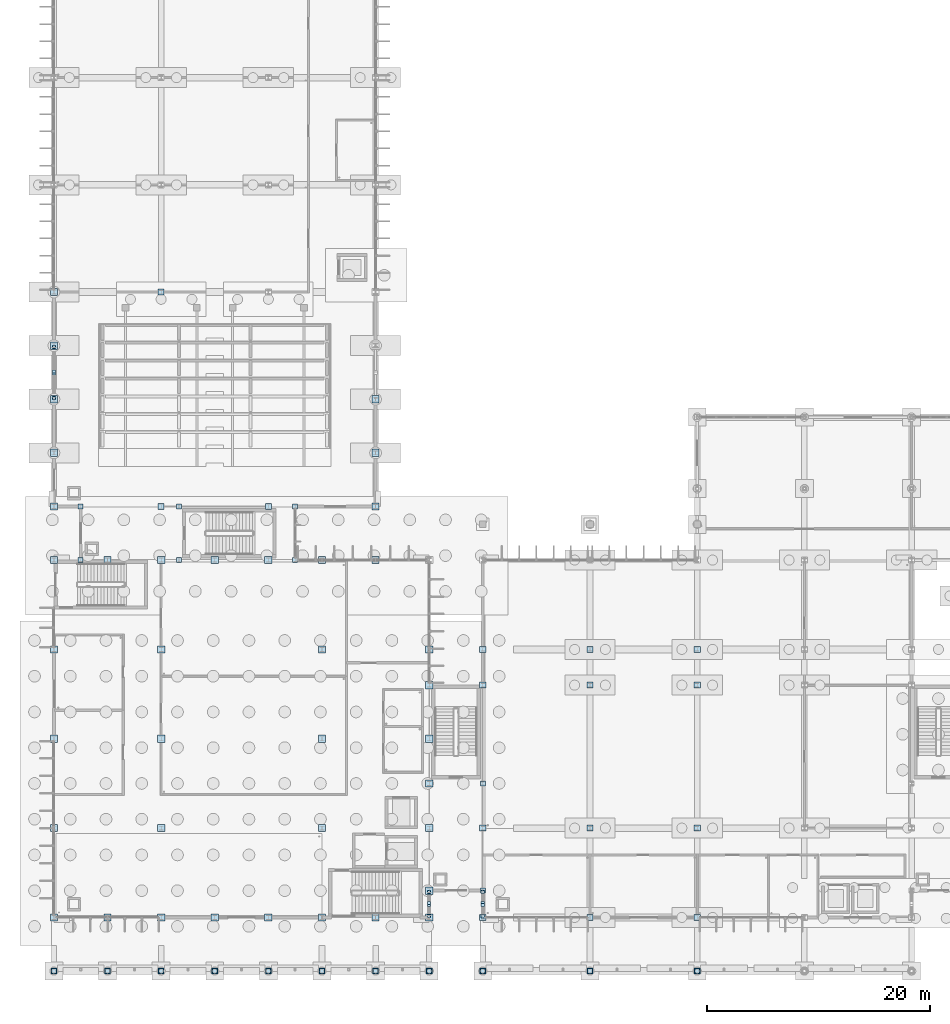
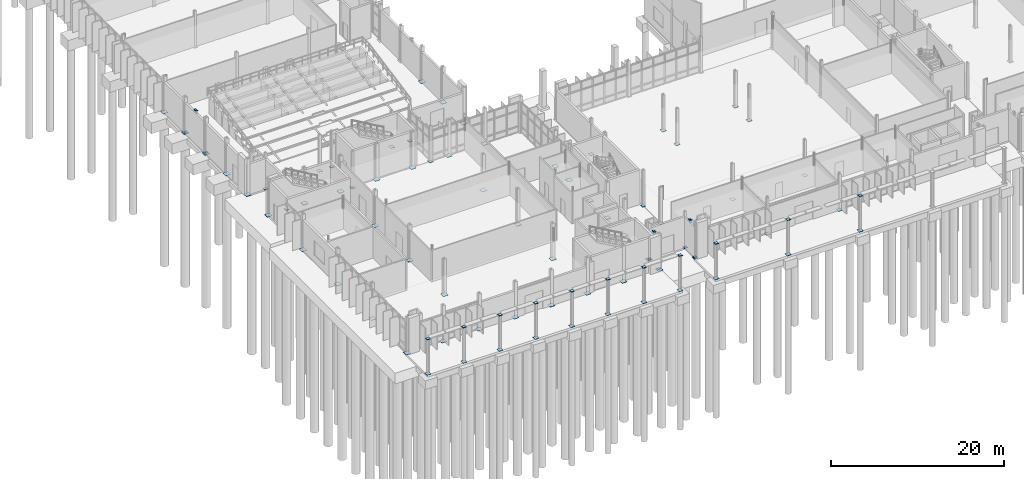
# One storey, part 52 of 111: 95 plates.
"""IFC4 building model written with IfcOpenShell, lengths in metres."""

from ifc_helpers import new_model, si_unit, direction, frame, origin, origin_2d, place, context, subcontext, project, spatial, rectangle, extrude, material, layer, layer_set, type_object, element, save


model = new_model("IFC4")

# Units and contexts
model_context = context("Model", 3, precision=1e-05, world=origin(), true_north=direction((0.0, 1.0)))
body_context = subcontext(model_context, "Body", "Model", "MODEL_VIEW")
ifc_project = project(units=[si_unit("LENGTHUNIT", "METRE"), si_unit("AREAUNIT", "SQUARE_METRE"), si_unit("VOLUMEUNIT", "CUBIC_METRE"), si_unit("PLANEANGLEUNIT", "RADIAN"), si_unit("MASSUNIT", "GRAM", prefix="KILO")], contexts=[model_context])

# Site, building, storey
site_placement = place(None, origin())
site = spatial("IfcSite", under=ifc_project, at=site_placement, CompositionType="ELEMENT")
building_placement = place(site_placement, origin())
building = spatial("IfcBuilding", under=site, at=building_placement, Name="Dunescarp Central Library", CompositionType="ELEMENT")
storey_placement = place(building_placement, origin())
storey = spatial("IfcBuildingStorey", under=building, at=storey_placement, Name="L00", CompositionType="ELEMENT", Elevation=0.0)

# Plates
ifc_material = material(Name="Steel S355J0", Category="steel")
ifc_layer_1 = layer(ifc_material, 0.0380859375)
ifc_layer_set_1 = layer_set([ifc_layer_1], Name="Steel S355J0")
plate_type_1 = type_object("IfcPlateType", Name="STR-PLT-BP01", PredefinedType="USERDEFINED", material=ifc_layer_set_1)
for number, where, z_axis, x_axis, name in (
    (1, (0.0, 4.800048828125, -0.033935546875), (0.0, 0.0, 1.0), (1.0, 0.0, 0.0), "Column base plate BPL-001"),
    (2, (0.0, 36.800048828125, -0.033935546875), (0.0, 0.0, 1.0), (1.0, 0.0, 0.0), "Column base plate BPL-002"),
    (3, (4.800048828125, 4.800048828125, -0.033935546875), (0.0, 0.0, 1.0), (1.0, 0.0, 0.0), "Column base plate BPL-003"),
    (4, (4.800048828125, 36.800048828125, -0.033935546875), (0.0, 0.0, 1.0), (1.0, 0.0, 0.0), "Column base plate BPL-004"),
    (5, (9.60009765625, 4.800048828125, -0.033935546875), (0.0, 0.0, 1.0), (1.0, 0.0, 0.0), "Column base plate BPL-005"),
    (6, (9.60009765625, 36.800048828125, -0.033935546875), (0.0, 0.0, 1.0), (1.0, 0.0, 0.0), "Column base plate BPL-006"),
    (7, (14.39990234375, 4.800048828125, -0.033935546875), (0.0, 0.0, 1.0), (1.0, 0.0, 0.0), "Column base plate BPL-007"),
    (8, (14.39990234375, 36.800048828125, -0.033935546875), (0.0, 0.0, 1.0), (1.0, 0.0, 0.0), "Column base plate BPL-008"),
    (9, (19.199951171875, 4.800048828125, -0.033935546875), (0.0, 0.0, 1.0), (1.0, 0.0, 0.0), "Column base plate BPL-009"),
    (10, (19.199951171875, 36.800048828125, -0.033935546875), (0.0, 0.0, 1.0), (1.0, 0.0, 0.0), "Column base plate BPL-010"),
    (11, (24.0, 4.800048828125, -0.033935546875), (0.0, 0.0, 1.0), (1.0, 0.0, 0.0), "Column base plate BPL-011"),
    (12, (24.0, 36.800048828125, -0.033935546875), (0.0, 0.0, 1.0), (1.0, 0.0, 0.0), "Column base plate BPL-012"),
    (13, (28.800048828125, 4.800048828125, -0.033935546875), (0.0, 0.0, 1.0), (1.0, 0.0, 0.0), "Column base plate BPL-013"),
    (14, (28.800048828125, 36.800048828125, -0.033935546875), (0.0, 0.0, 1.0), (1.0, 0.0, 0.0), "Column base plate BPL-014"),
    (15, (33.60009765625, 4.800048828125, -0.033935546875), (0.0, 0.0, 1.0), (1.0, 0.0, 0.0), "Column base plate BPL-015"),
    (16, (0.0, 12.800048828125, -0.033935546875), (0.0, 0.0, 1.0), (1.0, 0.0, 0.0), "Column base plate BPL-017"),
    (17, (0.0, 20.800048828125, -0.033935546875), (0.0, 0.0, 1.0), (1.0, 0.0, 0.0), "Column base plate BPL-018"),
    (18, (0.0, 28.800048828125, -0.033935546875), (0.0, 0.0, 1.0), (1.0, 0.0, 0.0), "Column base plate BPL-019"),
    (19, (33.60009765625, 7.199951171875, -0.033935546875), (0.0, 0.0, 1.0), (1.0, 0.0, 0.0), "Column base plate BPL-020"),
    (20, (33.60009765625, 12.800048828125, -0.033935546875), (0.0, 0.0, 1.0), (1.0, 0.0, 0.0), "Column base plate BPL-021"),
    (21, (33.60009765625, 16.800048828125, -0.033935546875), (0.0, 0.0, 1.0), (1.0, 0.0, 0.0), "Column base plate BPL-022"),
    (22, (33.60009765625, 20.800048828125, -0.033935546875), (0.0, 0.0, 1.0), (1.0, 0.0, 0.0), "Column base plate BPL-023"),
    (23, (33.60009765625, 25.60009765625, -0.033935546875), (0.0, 0.0, 1.0), (1.0, 0.0, 0.0), "Column base plate BPL-024"),
    (24, (33.60009765625, 28.800048828125, -0.033935546875), (0.0, 0.0, 1.0), (1.0, 0.0, 0.0), "Column base plate BPL-025"),
    (25, (9.60009765625, 12.800048828125, -0.033935546875), (0.0, 0.0, 1.0), (1.0, 0.0, 0.0), "Column base plate BPL-026"),
    (26, (9.60009765625, 20.800048828125, -0.033935546875), (0.0, 0.0, 1.0), (1.0, 0.0, 0.0), "Column base plate BPL-027"),
    (27, (9.60009765625, 28.800048828125, -0.033935546875), (0.0, 0.0, 1.0), (1.0, 0.0, 0.0), "Column base plate BPL-028"),
    (28, (24.0, 12.800048828125, -0.033935546875), (0.0, 0.0, 1.0), (1.0, 0.0, 0.0), "Column base plate BPL-029"),
    (29, (24.0, 20.800048828125, -0.033935546875), (0.0, 0.0, 1.0), (1.0, 0.0, 0.0), "Column base plate BPL-030"),
    (30, (24.0, 28.800048828125, -0.033935546875), (0.0, 0.0, 1.0), (1.0, 0.0, 0.0), "Column base plate BPL-031"),
    (31, (0.0, 41.60009765625, -0.033935546875), (0.0, 0.0, 1.0), (1.0, 0.0, 0.0), "Column base plate BPL-105"),
    (32, (0.0, 46.39990234375, -0.033935546875), (0.0, 0.0, 1.0), (1.0, 0.0, 0.0), "Column base plate BPL-106"),
    (33, (0.0, 51.199951171875, -0.033935546875), (0.0, 0.0, 1.0), (1.0, 0.0, 0.0), "Column base plate BPL-107"),
    (34, (0.0, 56.0, -0.033935546875), (0.0, 0.0, 1.0), (1.0, 0.0, 0.0), "Column base plate BPL-108"),
    (35, (0.0, 60.800048828125, -0.033935546875), (0.0, 0.0, 1.0), (1.0, 0.0, 0.0), "Column base plate BPL-109"),
    (36, (28.800048828125, 41.60009765625, -0.033935546875), (0.0, 0.0, 1.0), (1.0, 0.0, 0.0), "Column base plate BPL-110"),
    (37, (28.800048828125, 46.39990234375, -0.033935546875), (0.0, 0.0, 1.0), (1.0, 0.0, 0.0), "Column base plate BPL-111"),
    (38, (28.800048828125, 51.199951171875, -0.033935546875), (0.0, 0.0, 1.0), (1.0, 0.0, 0.0), "Column base plate BPL-112"),
):
    element("IfcPlate", number, at=place(storey_placement, frame(where, z_axis=z_axis, x_axis=x_axis)), inside=storey, type_object=plate_type_1, Name=name, ObjectType="BASE_PLATE", PredefinedType="USERDEFINED", context=body_context, shape_type="SweptSolid", body=[
        extrude(rectangle(XDim=0.64990234375, YDim=0.64990234375, at=origin_2d()), origin(), (0.0, 0.0, 1.0), 0.0380859375),
    ])
ifc_layer_2 = layer(ifc_material, 0.031982421875)
ifc_layer_set_2 = layer_set([ifc_layer_2], Name="Steel S355J0")
plate_type_2 = type_object("IfcPlateType", Name="STR-PLT-BP02", PredefinedType="USERDEFINED", material=ifc_layer_set_2)
for number, where, z_axis, x_axis, name in (
    (39, (38.39990234375, 4.800048828125, -0.03076171875), (0.0, 0.0, 1.0), (1.0, 0.0, 0.0), "Column base plate BPL-032"),
    (40, (38.39990234375, 12.800048828125, -0.03076171875), (0.0, 0.0, 1.0), (1.0, 0.0, 0.0), "Column base plate BPL-033"),
    (41, (38.39990234375, 25.60009765625, -0.03076171875), (0.0, 0.0, 1.0), (1.0, 0.0, 0.0), "Column base plate BPL-034"),
    (42, (48.0, 4.800048828125, -0.03076171875), (0.0, 0.0, 1.0), (1.0, 0.0, 0.0), "Column base plate BPL-036"),
    (43, (48.0, 12.800048828125, -0.03076171875), (0.0, 0.0, 1.0), (1.0, 0.0, 0.0), "Column base plate BPL-037"),
    (44, (48.0, 25.60009765625, -0.03076171875), (0.0, 0.0, 1.0), (1.0, 0.0, 0.0), "Column base plate BPL-038"),
    (45, (57.60009765625, 4.800048828125, -0.03076171875), (0.0, 0.0, 1.0), (1.0, 0.0, 0.0), "Column base plate BPL-040"),
    (46, (57.60009765625, 12.800048828125, -0.03076171875), (0.0, 0.0, 1.0), (1.0, 0.0, 0.0), "Column base plate BPL-041"),
    (47, (57.60009765625, 25.60009765625, -0.03076171875), (0.0, 0.0, 1.0), (1.0, 0.0, 0.0), "Column base plate BPL-042"),
    (48, (38.39990234375, 28.800048828125, -0.03076171875), (0.0, 0.0, 1.0), (1.0, 0.0, 0.0), "Column base plate BPL-052"),
    (49, (48.0, 28.800048828125, -0.03076171875), (0.0, 0.0, 1.0), (1.0, 0.0, 0.0), "Column base plate BPL-053"),
    (50, (57.60009765625, 28.800048828125, -0.03076171875), (0.0, 0.0, 1.0), (1.0, 0.0, 0.0), "Column base plate BPL-054"),
    (51, (9.60009765625, 41.60009765625, -0.03076171875), (0.0, 0.0, 1.0), (1.0, 0.0, 0.0), "Column base plate BPL-115"),
    (52, (9.60009765625, 60.800048828125, -0.03076171875), (0.0, 0.0, 1.0), (1.0, 0.0, 0.0), "Column base plate BPL-116"),
    (53, (19.199951171875, 41.60009765625, -0.03076171875), (0.0, 0.0, 1.0), (1.0, 0.0, 0.0), "Column base plate BPL-117"),
    (54, (0.0, 0.0, -0.03076171875), (0.0, 0.0, 1.0), (1.0, 0.0, 0.0), "Column base plate BPL-168"),
    (55, (4.800048828125, 0.0, -0.03076171875), (0.0, 0.0, 1.0), (1.0, 0.0, 0.0), "Column base plate BPL-169"),
    (56, (9.60009765625, 0.0, -0.03076171875), (0.0, 0.0, 1.0), (1.0, 0.0, 0.0), "Column base plate BPL-170"),
    (57, (14.39990234375, 0.0, -0.03076171875), (0.0, 0.0, 1.0), (1.0, 0.0, 0.0), "Column base plate BPL-171"),
    (58, (19.199951171875, 0.0, -0.03076171875), (0.0, 0.0, 1.0), (1.0, 0.0, 0.0), "Column base plate BPL-172"),
    (59, (24.0, 0.0, -0.03076171875), (0.0, 0.0, 1.0), (1.0, 0.0, 0.0), "Column base plate BPL-173"),
    (60, (28.800048828125, 0.0, -0.03076171875), (0.0, 0.0, 1.0), (1.0, 0.0, 0.0), "Column base plate BPL-174"),
    (61, (33.60009765625, 0.0, -0.03076171875), (0.0, 0.0, 1.0), (1.0, 0.0, 0.0), "Column base plate BPL-175"),
    (62, (38.39990234375, 0.0, -0.03076171875), (0.0, 0.0, 1.0), (1.0, 0.0, 0.0), "Column base plate BPL-176"),
    (63, (48.0, 0.0, -0.03076171875), (0.0, 0.0, 1.0), (1.0, 0.0, 0.0), "Column base plate BPL-177"),
    (64, (57.60009765625, 0.0, -0.03076171875), (0.0, 0.0, 1.0), (1.0, 0.0, 0.0), "Column base plate BPL-178"),
):
    element("IfcPlate", number, at=place(storey_placement, frame(where, z_axis=z_axis, x_axis=x_axis)), inside=storey, type_object=plate_type_2, Name=name, ObjectType="BASE_PLATE", PredefinedType="USERDEFINED", context=body_context, shape_type="SweptSolid", body=[
        extrude(rectangle(XDim=0.550048828125, YDim=0.550048828125, at=origin_2d()), origin(), (0.0, 0.0, 1.0), 0.031982421875),
    ])
ifc_layer_3 = layer(ifc_material, 0.028076171875)
ifc_layer_set_3 = layer_set([ifc_layer_3], Name="Steel S355J0")
plate_type_3 = type_object("IfcPlateType", Name="STR-PLT-BP03", PredefinedType="USERDEFINED", material=ifc_layer_set_3)
for number, where, z_axis, x_axis, name in (
    (65, (38.39990234375, 7.199951171875, -0.02880859375), (0.0, 0.0, 1.0), (1.0, 0.0, 0.0), "Column base plate BPL-057"),
    (66, (38.39990234375, 16.800048828125, -0.02880859375), (0.0, 0.0, 1.0), (1.0, 0.0, 0.0), "Column base plate BPL-058"),
    (67, (2.39990234375, 36.800048828125, -0.02880859375), (0.0, 0.0, 1.0), (1.0, 0.0, 0.0), "Column base plate BPL-131"),
    (68, (2.39990234375, 41.60009765625, -0.02880859375), (0.0, 0.0, 1.0), (1.0, 0.0, 0.0), "Column base plate BPL-132"),
    (69, (11.199951171875, 36.800048828125, -0.02880859375), (0.0, 0.0, 1.0), (1.0, 0.0, 0.0), "Column base plate BPL-133"),
    (70, (11.199951171875, 41.60009765625, -0.02880859375), (0.0, 0.0, 1.0), (1.0, 0.0, 0.0), "Column base plate BPL-134"),
    (71, (21.60009765625, 36.800048828125, -0.02880859375), (0.0, 0.0, 1.0), (1.0, 0.0, 0.0), "Column base plate BPL-135"),
    (72, (21.60009765625, 41.60009765625, -0.02880859375), (0.0, 0.0, 1.0), (1.0, 0.0, 0.0), "Column base plate BPL-136"),
):
    element("IfcPlate", number, at=place(storey_placement, frame(where, z_axis=z_axis, x_axis=x_axis)), inside=storey, type_object=plate_type_3, Name=name, ObjectType="BASE_PLATE", PredefinedType="USERDEFINED", context=body_context, shape_type="SweptSolid", body=[
        extrude(rectangle(XDim=0.449951171875, YDim=0.449951171875, at=origin_2d()), origin(), (0.0, 0.0, 1.0), 0.028076171875),
    ])
ifc_layer_4 = layer(ifc_material, 0.035888671875)
ifc_layer_set_4 = layer_set([ifc_layer_4], Name="Steel S355J0")
plate_type_4 = type_object("IfcPlateType", Name="STR-PLT-ECP1", PredefinedType="USERDEFINED", material=ifc_layer_set_4)
for number, where, z_axis, x_axis, name in (
    (73, (0.0, 0.0, 4.904296875), (0.0, 0.0, 1.0), (1.0, 0.0, 0.0), "Column top cap plate ECP-C001"),
    (74, (4.800048828125, 0.0, 4.904296875), (0.0, 0.0, 1.0), (1.0, 0.0, 0.0), "Column top cap plate ECP-C002"),
    (75, (9.60009765625, 0.0, 4.904296875), (0.0, 0.0, 1.0), (1.0, 0.0, 0.0), "Column top cap plate ECP-C003"),
    (76, (14.39990234375, 0.0, 4.904296875), (0.0, 0.0, 1.0), (1.0, 0.0, 0.0), "Column top cap plate ECP-C004"),
    (77, (19.199951171875, 0.0, 4.904296875), (0.0, 0.0, 1.0), (1.0, 0.0, 0.0), "Column top cap plate ECP-C005"),
    (78, (24.0, 0.0, 4.904296875), (0.0, 0.0, 1.0), (1.0, 0.0, 0.0), "Column top cap plate ECP-C006"),
    (79, (28.800048828125, 0.0, 4.904296875), (0.0, 0.0, 1.0), (1.0, 0.0, 0.0), "Column top cap plate ECP-C007"),
    (80, (33.60009765625, 0.0, 4.904296875), (0.0, 0.0, 1.0), (1.0, 0.0, 0.0), "Column top cap plate ECP-C008"),
    (81, (38.39990234375, 0.0, 4.904296875), (0.0, 0.0, 1.0), (1.0, 0.0, 0.0), "Column top cap plate ECP-C009"),
    (82, (48.0, 0.0, 4.904296875), (0.0, 0.0, 1.0), (1.0, 0.0, 0.0), "Column top cap plate ECP-C010"),
    (83, (57.60009765625, 0.0, 4.904296875), (0.0, 0.0, 1.0), (1.0, 0.0, 0.0), "Column top cap plate ECP-C011"),
):
    element("IfcPlate", number, at=place(storey_placement, frame(where, z_axis=z_axis, x_axis=x_axis)), inside=storey, type_object=plate_type_4, Name=name, ObjectType="GUSSET_PLATE", PredefinedType="USERDEFINED", context=body_context, shape_type="SweptSolid", body=[
        extrude(rectangle(XDim=0.416015625, YDim=0.416015625, at=origin_2d()), origin(), (0.0, 0.0, 1.0), 0.035888671875),
    ])
ifc_layer_5 = layer(ifc_material, 0.02001953125)
ifc_layer_set_5 = layer_set([ifc_layer_5], Name="Steel S355J0")
plate_type_5 = type_object("IfcPlateType", Name="STR-PLT-GUS1", PredefinedType="USERDEFINED", material=ifc_layer_set_5)
for number, where, z_axis, x_axis, name in (
    (84, (33.60009765625, 4.919921875, 0.02685546875), (0.0, 0.0, 1.0), (1.0, 0.0, 0.0), "Brace foot gusset plate GP-001"),
    (85, (33.60009765625, 7.080078125, 0.02685546875), (0.0, 0.0, 1.0), (1.0, 0.0, 0.0), "Brace foot gusset plate GP-003"),
):
    element("IfcPlate", number, at=place(storey_placement, frame(where, z_axis=z_axis, x_axis=x_axis)), inside=storey, type_object=plate_type_5, Name=name, ObjectType="GUSSET_PLATE", PredefinedType="USERDEFINED", context=body_context, shape_type="SweptSolid", body=[
        extrude(rectangle(XDim=0.279052734375, YDim=0.279052734375, at=origin_2d()), origin(), (0.0, 0.0, 1.0), 0.035888671875),
    ])
for number, where, z_axis, x_axis, name in (
    (86, (38.39990234375, 4.919921875, 0.02685546875), (0.0, 0.0, 1.0), (1.0, 0.0, 0.0), "Brace foot gusset plate GP-025"),
    (87, (38.39990234375, 7.080078125, 0.02685546875), (0.0, 0.0, 1.0), (1.0, 0.0, 0.0), "Brace foot gusset plate GP-027"),
):
    element("IfcPlate", number, at=place(storey_placement, frame(where, z_axis=z_axis, x_axis=x_axis)), inside=storey, type_object=plate_type_5, Name=name, ObjectType="GUSSET_PLATE", PredefinedType="USERDEFINED", context=body_context, shape_type="SweptSolid", body=[
        extrude(rectangle(XDim=0.303955078125, YDim=0.303955078125, at=origin_2d()), origin(), (0.0, 0.0, 1.0), 0.035888671875),
    ])
for number, where, z_axis, x_axis, name in (
    (88, (0.0, 51.320068359375, 0.02685546875), (0.0, 0.0, 1.0), (1.0, 0.0, 0.0), "Brace foot gusset plate GP-097"),
    (89, (0.0, 55.8798828125, 0.02685546875), (0.0, 0.0, 1.0), (1.0, 0.0, 0.0), "Brace foot gusset plate GP-099"),
):
    element("IfcPlate", number, at=place(storey_placement, frame(where, z_axis=z_axis, x_axis=x_axis)), inside=storey, type_object=plate_type_5, Name=name, ObjectType="GUSSET_PLATE", PredefinedType="USERDEFINED", context=body_context, shape_type="SweptSolid", body=[
        extrude(rectangle(XDim=0.279052734375, YDim=0.279052734375, at=origin_2d()), origin(), (0.0, 0.0, 1.0), 0.035888671875),
    ])
ifc_layer_6 = layer(ifc_material, 0.01611328125)
ifc_layer_set_6 = layer_set([ifc_layer_6], Name="Steel S355J0")
plate_type_6 = type_object("IfcPlateType", Name="STR-PLT-GUS2", PredefinedType="USERDEFINED", material=ifc_layer_set_6)
for number, where, z_axis, x_axis, name in (
    (90, (33.60009765625, 5.919921875, 4.6220703125), (0.0, 0.0, 1.0), (1.0, 0.0, 0.0), "Brace apex gusset plate GP-002"),
    (91, (33.60009765625, 6.080078125, 4.6220703125), (0.0, 0.0, 1.0), (1.0, 0.0, 0.0), "Brace apex gusset plate GP-004"),
):
    element("IfcPlate", number, at=place(storey_placement, frame(where, z_axis=z_axis, x_axis=x_axis)), inside=storey, type_object=plate_type_6, Name=name, ObjectType="GUSSET_PLATE", PredefinedType="USERDEFINED", context=body_context, shape_type="SweptSolid", body=[
        extrude(rectangle(XDim=0.279052734375, YDim=0.279052734375, at=origin_2d()), origin(), (0.0, 0.0, 1.0), 0.035888671875),
    ])
for number, where, z_axis, x_axis, name in (
    (92, (38.39990234375, 5.919921875, 4.6220703125), (0.0, 0.0, 1.0), (1.0, 0.0, 0.0), "Brace apex gusset plate GP-026"),
    (93, (38.39990234375, 6.080078125, 4.6220703125), (0.0, 0.0, 1.0), (1.0, 0.0, 0.0), "Brace apex gusset plate GP-028"),
):
    element("IfcPlate", number, at=place(storey_placement, frame(where, z_axis=z_axis, x_axis=x_axis)), inside=storey, type_object=plate_type_6, Name=name, ObjectType="GUSSET_PLATE", PredefinedType="USERDEFINED", context=body_context, shape_type="SweptSolid", body=[
        extrude(rectangle(XDim=0.303955078125, YDim=0.303955078125, at=origin_2d()), origin(), (0.0, 0.0, 1.0), 0.035888671875),
    ])
for number, where, z_axis, x_axis, name in (
    (94, (0.0, 53.52001953125, 4.6220703125), (0.0, 0.0, 1.0), (1.0, 0.0, 0.0), "Brace apex gusset plate GP-098"),
    (95, (0.0, 53.679931640625, 4.6220703125), (0.0, 0.0, 1.0), (1.0, 0.0, 0.0), "Brace apex gusset plate GP-100"),
):
    element("IfcPlate", number, at=place(storey_placement, frame(where, z_axis=z_axis, x_axis=x_axis)), inside=storey, type_object=plate_type_6, Name=name, ObjectType="GUSSET_PLATE", PredefinedType="USERDEFINED", context=body_context, shape_type="SweptSolid", body=[
        extrude(rectangle(XDim=0.279052734375, YDim=0.279052734375, at=origin_2d()), origin(), (0.0, 0.0, 1.0), 0.035888671875),
    ])

save(model, "model.ifc")
